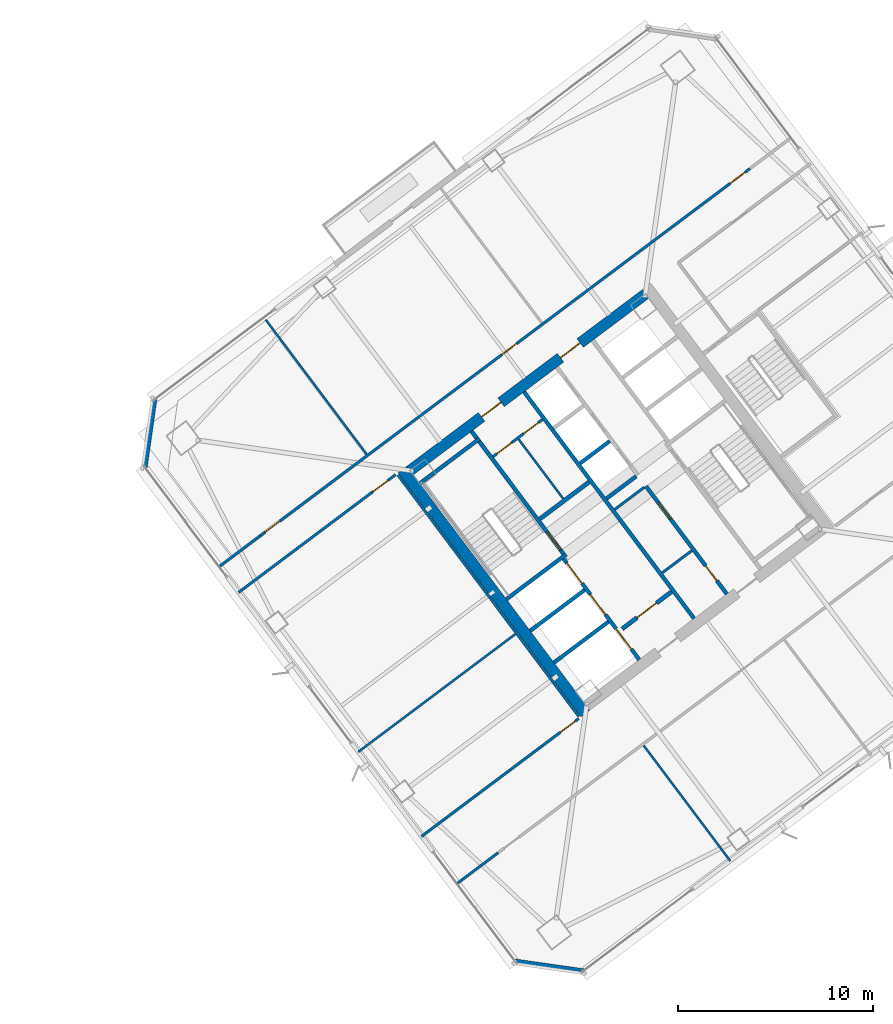
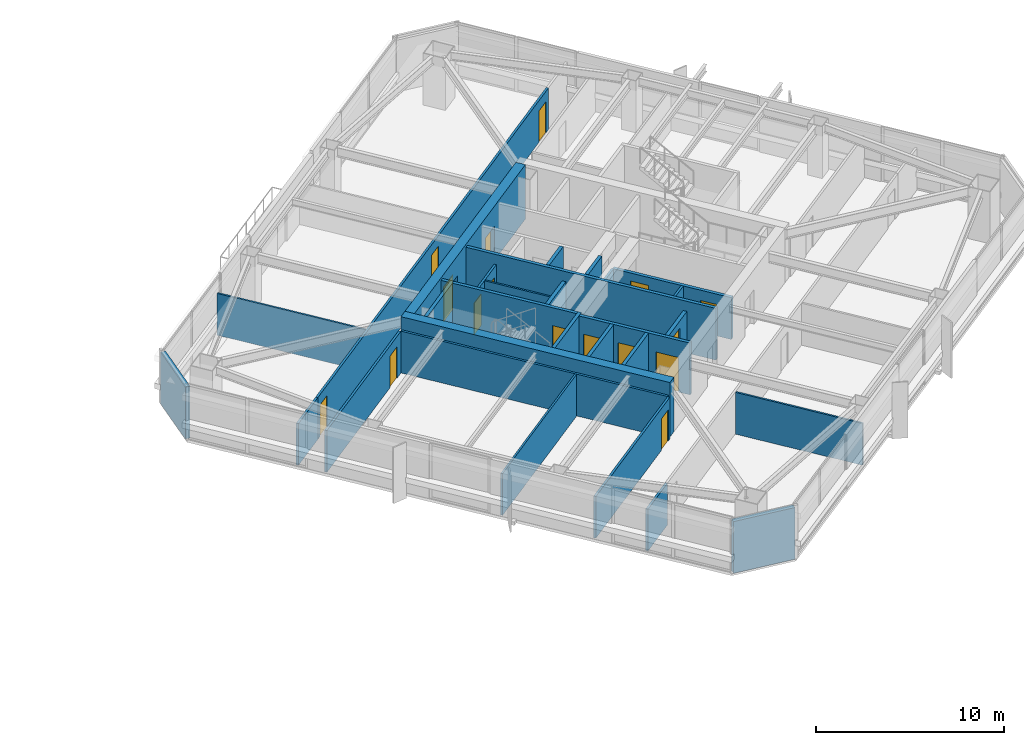
# One storey, part 38 of 48: 29 walls, 16 doors, 16 openings.
"""IFC4 building model written with IfcOpenShell, lengths in metres."""

from ifc_helpers import new_model, si_unit, direction, frame, frame_2d, origin, place, context, subcontext, project, spatial, rectangle, extrude, material, layer, layer_set, type_object, element, fill, save


model = new_model("IFC4")

# Units and contexts
model_context = context("Model", 3, precision=1e-05, world=origin(), true_north=direction((0.0, 1.0)))
body_context = subcontext(model_context, "Body", "Model", "MODEL_VIEW")
ifc_project = project(units=[si_unit("LENGTHUNIT", "METRE"), si_unit("AREAUNIT", "SQUARE_METRE"), si_unit("VOLUMEUNIT", "CUBIC_METRE"), si_unit("PLANEANGLEUNIT", "RADIAN"), si_unit("MASSUNIT", "GRAM", prefix="KILO")], contexts=[model_context])

# Site, building, storey
site_placement = place(None, origin())
site = spatial("IfcSite", under=ifc_project, at=site_placement, CompositionType="ELEMENT")
building_placement = place(site_placement, origin())
building = spatial("IfcBuilding", under=site, at=building_placement, Name="Tashvorn Skyway Center", CompositionType="ELEMENT")
storey_placement = place(building_placement, frame((0.0, 0.0, 125.050048828125)))
storey = spatial("IfcBuildingStorey", under=building, at=storey_placement, Name="L33", CompositionType="ELEMENT", Elevation=125.050048828125)

# Wall
ifc_material_1 = material(Name="Concrete C60/75", Category="concrete")
ifc_layer_1 = layer(ifc_material_1, 0.550048828125)
ifc_layer_set_1 = layer_set([ifc_layer_1], Name="Concrete C60/75")
wall_type_1 = type_object("IfcWallType", Name="WALL-CORE-550", PredefinedType="SHEAR", material=ifc_layer_set_1)
wall_1_placement = place(storey_placement, frame((112.43603515625, 21.076904296875, 0.0), z_axis=(0.0, 0.0, 1.0), x_axis=(-0.600005007985, 0.799996243986, 0.0)))
element("IfcWall", 1, at=wall_1_placement, inside=storey, type_object=wall_type_1, Name="Tower 2 L33 West Core Shear Wall", PredefinedType="SHEAR", context=body_context, shape_type="SweptSolid", body=[
    extrude(rectangle(XDim=15.60009765625, YDim=0.550048828125, at=frame_2d((7.800048828125, 0.0))), origin(), (0.0, 0.0, 1.0), 3.550048828125),
])

# Wall, openings, doors
wall_2_placement = place(storey_placement, frame((103.4609375, 33.501953125, 0.0), z_axis=(0.0, 0.0, 1.0), x_axis=(0.799998054672, 0.600002593761, 0.0)))
wall_2 = element("IfcWall", 2, at=wall_2_placement, inside=storey, type_object=wall_type_1, Name="Tower 2 L33 North Core Shear Wall", PredefinedType="SHEAR", context=body_context, shape_type="SweptSolid", body=[
    extrude(rectangle(XDim=15.06005859375, YDim=0.550048828125, at=frame_2d((7.530029296875, 0.0))), origin(), (0.0, 0.0, 1.0), 3.550048828125),
])
opening_1_placement = place(wall_2_placement, frame((4.580078125, 0.0, 0.0)))
opening_1 = element("IfcOpeningElement", 3, at=opening_1_placement, cuts=wall_2, Name="Opening D-FFL-1250", PredefinedType="OPENING", context=body_context, shape_type="SweptSolid", body=[
    extrude(rectangle(XDim=1.25, YDim=2.25, at=frame_2d((0.625, 1.125))), frame((0.0, 0.284912109375, 0.0), z_axis=(0.0, -1.0, 0.0), x_axis=(1.0, 0.0, 0.0)), (0.0, 0.0, 1.0), 0.570068359375),
])
opening_2_placement = place(wall_2_placement, frame((9.6298828125, 0.0, 0.0)))
opening_2 = element("IfcOpeningElement", 4, at=opening_2_placement, cuts=wall_2, Name="Opening D-FFL-1250", PredefinedType="OPENING", context=body_context, shape_type="SweptSolid", body=[
    extrude(rectangle(XDim=1.25, YDim=2.25, at=frame_2d((0.625, 1.125))), frame((0.0, 0.284912109375, 0.0), z_axis=(0.0, -1.0, 0.0), x_axis=(1.0, 0.0, 0.0)), (0.0, 0.0, 1.0), 0.570068359375),
])
ifc_material_2 = material(Name="Hollow galvanized steel fire door assembly", Category="steel")
door_type_1 = type_object("IfcDoorType", Name="DOOR-FFL-1250", OperationType="NOTDEFINED", PredefinedType="DOOR", material=ifc_material_2)
door_1_placement = place(opening_1_placement, origin())
door_1 = element("IfcDoor", 5, at=door_1_placement, inside=storey, type_object=door_type_1, Name="Tower 2 L33 Core North Service Lobby Door", OperationType="SINGLE_SWING_LEFT", OverallHeight=2.25, OverallWidth=1.25, PredefinedType="DOOR", context=body_context, shape_type="SweptSolid", body=[
    extrude(rectangle(XDim=1.25, YDim=2.25, at=frame_2d((0.625, 1.125))), frame((0.0, 0.02490234375, 0.0), z_axis=(0.0, -1.0, 0.0), x_axis=(1.0, 0.0, 0.0)), (0.0, 0.0, 1.0), 0.050048828125),
])
fill(opening_1, door_1)
door_2_placement = place(opening_2_placement, origin())
door_2 = element("IfcDoor", 6, at=door_2_placement, inside=storey, type_object=door_type_1, Name="Tower 2 L33 Core North Lift Lobby Door", OperationType="SINGLE_SWING_RIGHT", OverallHeight=2.25, OverallWidth=1.25, PredefinedType="DOOR", context=body_context, shape_type="SweptSolid", body=[
    extrude(rectangle(XDim=1.25, YDim=2.25, at=frame_2d((0.625, 1.125))), frame((0.0, 0.02490234375, 0.0), z_axis=(0.0, -1.0, 0.0), x_axis=(1.0, 0.0, 0.0)), (0.0, 0.0, 1.0), 0.050048828125),
])
fill(opening_2, door_2)

# Walls
ifc_material_3 = material(Name="Precast concrete C40/50", Category="concrete")
ifc_layer_2 = layer(ifc_material_3, 0.280029296875)
ifc_layer_set_2 = layer_set([ifc_layer_2], Name="Precast concrete C40/50")
wall_type_2 = type_object("IfcWallType", Name="WALL-EXT-280", PredefinedType="SOLIDWALL", material=ifc_layer_set_2)
for number, where, z_axis, x_axis, name in (
    (7, (112.340087890625, 7.8798828125, 0.0), (0.0, 0.0, 1.0), (-0.989949493661, 0.141421356237, 0.0), "Tower 2 L33 SW Precast Chamfer Wall"),
    (8, (89.8798828125, 33.659912109375, 0.0), (0.0, 0.0, 1.0), (0.141421356237, 0.989949493661, 0.0), "Tower 2 L33 NW Precast Chamfer Wall"),
):
    element("IfcWall", number, at=place(storey_placement, frame(where, z_axis=z_axis, x_axis=x_axis)), inside=storey, type_object=wall_type_2, Name=name, PredefinedType="SOLIDWALL", context=body_context, shape_type="SweptSolid", body=[
        extrude(rectangle(XDim=3.53564453125, YDim=0.280029296875, at=frame_2d((1.767822265625, 0.0))), origin(), (0.0, 0.0, 1.0), 3.369873046875),
    ])
ifc_material_4 = material(Name="Concrete C40/50", Category="concrete")
ifc_layer_3 = layer(ifc_material_4, 0.219970703125)
ifc_layer_set_3 = layer_set([ifc_layer_3], Name="Concrete C40/50")
wall_type_3 = type_object("IfcWallType", Name="WALL-FFL-220", PredefinedType="SOLIDWALL", material=ifc_layer_set_3)
wall_3_placement = place(storey_placement, frame((110.10400390625, 31.028076171875, 0.0), z_axis=(0.0, 0.0, 1.0), x_axis=(0.800018601094, 0.59997519774, 0.0)))
element("IfcWall", 9, at=wall_3_placement, inside=storey, type_object=wall_type_3, Name="Tower 2 L33 Firefighting Lobby North Wall", PredefinedType="SOLIDWALL", context=body_context, shape_type="SweptSolid", body=[
    extrude(rectangle(XDim=3.14990234375, YDim=0.219970703125, at=frame_2d((1.574951171875, 0.0))), origin(), (0.0, 0.0, 1.0), 2.722900390625),
])

# Wall, opening, door
wall_4_placement = place(storey_placement, frame((114.31591796875, 25.412109375, 0.0), z_axis=(0.0, 0.0, 1.0), x_axis=(0.800018601094, 0.59997519774, 0.0)))
wall_4 = element("IfcWall", 10, at=wall_4_placement, inside=storey, type_object=wall_type_3, Name="Tower 2 L33 Firefighting Lobby South Wall", PredefinedType="SOLIDWALL", context=body_context, shape_type="SweptSolid", body=[
    extrude(rectangle(XDim=3.14990234375, YDim=0.219970703125, at=frame_2d((1.574951171875, 0.0))), origin(), (0.0, 0.0, 1.0), 2.722900390625),
])
opening_3_placement = place(wall_4_placement, frame((0.949951171875, 0.0, 0.0)))
opening_3 = element("IfcOpeningElement", 11, at=opening_3_placement, cuts=wall_4, Name="Opening D-FFL-1250", PredefinedType="OPENING", context=body_context, shape_type="SweptSolid", body=[
    extrude(rectangle(XDim=1.25, YDim=2.25, at=frame_2d((0.625, 1.125))), frame((0.0, 0.119873046875, 0.0), z_axis=(0.0, -1.0, 0.0), x_axis=(1.0, 0.0, 0.0)), (0.0, 0.0, 1.0), 0.239990234375),
])
door_3_placement = place(opening_3_placement, origin())
door_3 = element("IfcDoor", 12, at=door_3_placement, inside=storey, type_object=door_type_1, Name="Tower 2 L33 Firefighting Lobby Egress Door", OperationType="SINGLE_SWING_LEFT", OverallHeight=2.25, OverallWidth=1.25, PredefinedType="DOOR", context=body_context, shape_type="SweptSolid", body=[
    extrude(rectangle(XDim=1.25, YDim=2.25, at=frame_2d((0.625, 1.125))), frame((0.0, 0.02490234375, 0.0), z_axis=(0.0, -1.0, 0.0), x_axis=(1.0, 0.0, 0.0)), (0.0, 0.0, 1.0), 0.050048828125),
])
fill(opening_3, door_3)

# Walls
ifc_material_5 = material(Name="Gypsum board on cold-formed steel stud framing", Category="steel")
ifc_layer_4 = layer(ifc_material_5, 0.110107421875)
ifc_layer_set_4 = layer_set([ifc_layer_4], Name="Gypsum board on cold-formed steel stud framing")
wall_type_4 = type_object("IfcWallType", Name="WALL-PART-110", PredefinedType="PARTITIONING", material=ifc_layer_set_4)
wall_5_placement = place(storey_placement, frame((101.241943359375, 34.343994140625, 0.0), z_axis=(0.0, 0.0, 1.0), x_axis=(-0.599986373537, 0.800010219666, 0.0)))
element("IfcWall", 13, at=wall_5_placement, inside=storey, type_object=wall_type_4, Name="Tower 2 L33 North Suite Partition 1", PredefinedType="PARTITIONING", context=body_context, shape_type="SweptSolid", body=[
    extrude(rectangle(XDim=8.60009765625, YDim=0.110107421875, at=frame_2d((4.300048828125, 0.0))), origin(), (0.0, 0.0, 1.0), 2.722900390625),
])
wall_6_placement = place(storey_placement, frame((119.847900390625, 13.535888671875, 0.0), z_axis=(0.0, 0.0, 1.0), x_axis=(-0.599994706986, 0.800003969733, 0.0)))
element("IfcWall", 14, at=wall_6_placement, inside=storey, type_object=wall_type_4, Name="Tower 2 L33 South Suite Partition 1", PredefinedType="PARTITIONING", context=body_context, shape_type="SweptSolid", body=[
    extrude(rectangle(XDim=7.380126953125, YDim=0.110107421875, at=frame_2d((3.68994140625, 0.0))), origin(), (0.0, 0.0, 1.0), 2.722900390625),
])
wall_7_placement = place(storey_placement, frame((100.81591796875, 19.112060546875, 0.0), z_axis=(0.0, 0.0, 1.0), x_axis=(0.800002918023, 0.599996109283, 0.0)))
element("IfcWall", 15, at=wall_7_placement, inside=storey, type_object=wall_type_4, Name="Tower 2 L33 West Mid Partition", PredefinedType="PARTITIONING", context=body_context, shape_type="SweptSolid", body=[
    extrude(rectangle(XDim=10.0400390625, YDim=0.110107421875, at=frame_2d((5.02001953125, 0.0))), origin(), (0.0, 0.0, 1.0), 2.722900390625),
])

# Wall, openings, doors
ifc_layer_5 = layer(ifc_material_5, 0.135009765625)
ifc_layer_set_5 = layer_set([ifc_layer_5], Name="Gypsum board on cold-formed steel stud framing")
wall_type_5 = type_object("IfcWallType", Name="WALL-PART-135", PredefinedType="PARTITIONING", material=ifc_layer_set_5)
wall_8_placement = place(storey_placement, frame((95.81005859375, 30.169921875, 0.0), z_axis=(0.0, 0.0, 1.0), x_axis=(0.8, 0.6, 0.0)))
wall_8 = element("IfcWall", 16, at=wall_8_placement, inside=storey, type_object=wall_type_5, Name="Tower 2 L33 North Suite Wall", PredefinedType="PARTITIONING", context=body_context, shape_type="SweptSolid", body=[
    extrude(rectangle(XDim=31.300048828125, YDim=0.135009765625, at=frame_2d((15.64990234375, 0.0))), origin(), (0.0, 0.0, 1.0), 2.722900390625),
])
opening_4_placement = place(wall_8_placement, frame((0.300048828125, 0.0, 0.0)))
opening_4 = element("IfcOpeningElement", 17, at=opening_4_placement, cuts=wall_8, Name="Opening D-INT-950", PredefinedType="OPENING", context=body_context, shape_type="SweptSolid", body=[
    extrude(rectangle(XDim=0.949951171875, YDim=2.050048828125, at=frame_2d((0.47509765625, 1.02490234375))), frame((0.0, 0.077392578125, 0.0), z_axis=(0.0, -1.0, 0.0), x_axis=(1.0, 0.0, 0.0)), (0.0, 0.0, 1.0), 0.155029296875),
])
opening_5_placement = place(wall_8_placement, frame((15.4375, 0.0, 0.0)))
opening_5 = element("IfcOpeningElement", 18, at=opening_5_placement, cuts=wall_8, Name="Opening D-INT-950", PredefinedType="OPENING", context=body_context, shape_type="SweptSolid", body=[
    extrude(rectangle(XDim=0.949951171875, YDim=2.050048828125, at=frame_2d((0.47509765625, 1.02490234375))), frame((0.0, 0.077392578125, 0.0), z_axis=(0.0, -1.0, 0.0), x_axis=(1.0, 0.0, 0.0)), (0.0, 0.0, 1.0), 0.155029296875),
])
opening_6_placement = place(wall_8_placement, frame((30.050048828125, 0.0, 0.0)))
opening_6 = element("IfcOpeningElement", 19, at=opening_6_placement, cuts=wall_8, Name="Opening D-INT-950", PredefinedType="OPENING", context=body_context, shape_type="SweptSolid", body=[
    extrude(rectangle(XDim=0.949951171875, YDim=2.050048828125, at=frame_2d((0.47509765625, 1.02490234375))), frame((0.0, 0.077392578125, 0.0), z_axis=(0.0, -1.0, 0.0), x_axis=(1.0, 0.0, 0.0)), (0.0, 0.0, 1.0), 0.155029296875),
])
ifc_material_6 = material(Name="Solid-core architectural oak veneer door")
door_type_2 = type_object("IfcDoorType", Name="DOOR-INT-950", OperationType="NOTDEFINED", PredefinedType="DOOR", material=ifc_material_6)
door_4_placement = place(opening_4_placement, origin())
door_4 = element("IfcDoor", 20, at=door_4_placement, inside=storey, type_object=door_type_2, Name="Tower 2 L33 Executive Suite Door", OperationType="SINGLE_SWING_LEFT", OverallHeight=2.050048828125, OverallWidth=0.949951171875, PredefinedType="DOOR", context=body_context, shape_type="SweptSolid", body=[
    extrude(rectangle(XDim=0.949951171875, YDim=2.050048828125, at=frame_2d((0.47509765625, 1.02490234375))), frame((0.0, 0.02490234375, 0.0), z_axis=(0.0, -1.0, 0.0), x_axis=(1.0, 0.0, 0.0)), (0.0, 0.0, 1.0), 0.050048828125),
])
fill(opening_4, door_4)
door_5_placement = place(opening_5_placement, origin())
door_5 = element("IfcDoor", 21, at=door_5_placement, inside=storey, type_object=door_type_2, Name="Tower 2 L33 Executive Suite Door", OperationType="SINGLE_SWING_RIGHT", OverallHeight=2.050048828125, OverallWidth=0.949951171875, PredefinedType="DOOR", context=body_context, shape_type="SweptSolid", body=[
    extrude(rectangle(XDim=0.949951171875, YDim=2.050048828125, at=frame_2d((0.47509765625, 1.02490234375))), frame((0.0, 0.02490234375, 0.0), z_axis=(0.0, -1.0, 0.0), x_axis=(1.0, 0.0, 0.0)), (0.0, 0.0, 1.0), 0.050048828125),
])
fill(opening_5, door_5)
door_6_placement = place(opening_6_placement, origin())
door_6 = element("IfcDoor", 22, at=door_6_placement, inside=storey, type_object=door_type_2, Name="Tower 2 L33 Corporate Office Door", OperationType="SINGLE_SWING_LEFT", OverallHeight=2.050048828125, OverallWidth=0.949951171875, PredefinedType="DOOR", context=body_context, shape_type="SweptSolid", body=[
    extrude(rectangle(XDim=0.949951171875, YDim=2.050048828125, at=frame_2d((0.47509765625, 1.02490234375))), frame((0.0, 0.02490234375, 0.0), z_axis=(0.0, -1.0, 0.0), x_axis=(1.0, 0.0, 0.0)), (0.0, 0.0, 1.0), 0.050048828125),
])
fill(opening_6, door_6)

# Walls
wall_9_placement = place(storey_placement, frame((93.7060546875, 28.592041015625, 0.0), z_axis=(0.0, 0.0, 1.0), x_axis=(0.80002227902, 0.599970293491, 0.0)))
element("IfcWall", 23, at=wall_9_placement, inside=storey, type_object=wall_type_5, Name="Tower 2 L33 North-West Suite South Wall", PredefinedType="PARTITIONING", context=body_context, shape_type="SweptSolid", body=[
    extrude(rectangle(XDim=2.6298828125, YDim=0.135009765625, at=frame_2d((1.31494140625, 0.0))), origin(), (0.0, 0.0, 1.0), 2.722900390625),
])
wall_10_placement = place(storey_placement, frame((105.867919921875, 12.3759765625, 0.0), z_axis=(0.0, 0.0, 1.0), x_axis=(0.799977721118, 0.600029704027, 0.0)))
element("IfcWall", 24, at=wall_10_placement, inside=storey, type_object=wall_type_5, Name="Tower 2 L33 South-West Suite North Wall", PredefinedType="PARTITIONING", context=body_context, shape_type="SweptSolid", body=[
    extrude(rectangle(XDim=2.630126953125, YDim=0.135009765625, at=frame_2d((1.31494140625, 0.0))), origin(), (0.0, 0.0, 1.0), 2.722900390625),
])
wall_11_placement = place(storey_placement, frame((112.10400390625, 20.927978515625, 0.0), z_axis=(0.0, 0.0, 1.0), x_axis=(-0.599994940075, 0.800003794918, 0.0)))
element("IfcWall", 25, at=wall_11_placement, inside=storey, type_object=wall_type_5, Name="Tower 2 L33 West Inner Suite Wall", PredefinedType="PARTITIONING", context=body_context, shape_type="SweptSolid", body=[
    extrude(rectangle(XDim=15.43994140625, YDim=0.135009765625, at=frame_2d((7.719970703125, 0.0))), origin(), (0.0, 0.0, 1.0), 2.722900390625),
])

# Wall, opening, door
wall_12_placement = place(storey_placement, frame((102.72802734375, 33.2958984375, 0.0), z_axis=(0.0, 0.0, 1.0), x_axis=(-0.800002918023, -0.599996109283, 0.0)))
wall_12 = element("IfcWall", 26, at=wall_12_placement, inside=storey, type_object=wall_type_5, Name="Tower 2 L33 West Suite North Wall", PredefinedType="PARTITIONING", context=body_context, shape_type="SweptSolid", body=[
    extrude(rectangle(XDim=10.0400390625, YDim=0.135009765625, at=frame_2d((5.02001953125, 0.0))), origin(), (0.0, 0.0, 1.0), 2.722900390625),
])
opening_7_placement = place(wall_12_placement, frame((0.5, 0.0, 0.0)))
opening_7 = element("IfcOpeningElement", 27, at=opening_7_placement, cuts=wall_12, Name="Opening D-INT-950", PredefinedType="OPENING", context=body_context, shape_type="SweptSolid", body=[
    extrude(rectangle(XDim=0.949951171875, YDim=2.050048828125, at=frame_2d((0.47509765625, 1.02490234375))), frame((0.0, 0.077392578125, 0.0), z_axis=(0.0, -1.0, 0.0), x_axis=(1.0, 0.0, 0.0)), (0.0, 0.0, 1.0), 0.155029296875),
])
door_7_placement = place(opening_7_placement, origin())
door_7 = element("IfcDoor", 28, at=door_7_placement, inside=storey, type_object=door_type_2, Name="Tower 2 L33 Security Control Room Door", OperationType="SINGLE_SWING_LEFT", OverallHeight=2.050048828125, OverallWidth=0.949951171875, PredefinedType="DOOR", context=body_context, shape_type="SweptSolid", body=[
    extrude(rectangle(XDim=0.949951171875, YDim=2.050048828125, at=frame_2d((0.47509765625, 1.02490234375))), frame((0.0, 0.02490234375, 0.0), z_axis=(0.0, -1.0, 0.0), x_axis=(1.0, 0.0, 0.0)), (0.0, 0.0, 1.0), 0.050048828125),
])
fill(opening_7, door_7)

wall_13_placement = place(storey_placement, frame((104.055908203125, 14.7919921875, 0.0), z_axis=(0.0, 0.0, 1.0), x_axis=(0.800002918023, 0.599996109283, 0.0)))
wall_13 = element("IfcWall", 29, at=wall_13_placement, inside=storey, type_object=wall_type_5, Name="Tower 2 L33 West Suite South Wall", PredefinedType="PARTITIONING", context=body_context, shape_type="SweptSolid", body=[
    extrude(rectangle(XDim=10.0400390625, YDim=0.135009765625, at=frame_2d((5.02001953125, 0.0))), origin(), (0.0, 0.0, 1.0), 2.722900390625),
])
opening_8_placement = place(wall_13_placement, frame((8.8798828125, 0.0, 0.0)))
opening_8 = element("IfcOpeningElement", 30, at=opening_8_placement, cuts=wall_13, Name="Opening D-INT-950", PredefinedType="OPENING", context=body_context, shape_type="SweptSolid", body=[
    extrude(rectangle(XDim=0.949951171875, YDim=2.050048828125, at=frame_2d((0.47509765625, 1.02490234375))), frame((0.0, 0.077392578125, 0.0), z_axis=(0.0, -1.0, 0.0), x_axis=(1.0, 0.0, 0.0)), (0.0, 0.0, 1.0), 0.155029296875),
])
door_8_placement = place(opening_8_placement, origin())
door_8 = element("IfcDoor", 31, at=door_8_placement, inside=storey, type_object=door_type_2, Name="Tower 2 L33 Public Restroom Door", OperationType="SINGLE_SWING_RIGHT", OverallHeight=2.050048828125, OverallWidth=0.949951171875, PredefinedType="DOOR", context=body_context, shape_type="SweptSolid", body=[
    extrude(rectangle(XDim=0.949951171875, YDim=2.050048828125, at=frame_2d((0.47509765625, 1.02490234375))), frame((0.0, 0.02490234375, 0.0), z_axis=(0.0, -1.0, 0.0), x_axis=(1.0, 0.0, 0.0)), (0.0, 0.0, 1.0), 0.050048828125),
])
fill(opening_8, door_8)

# Wall
ifc_layer_6 = layer(ifc_material_5, 0.110107421875)
ifc_layer_set_6 = layer_set([ifc_layer_6], Name="Gypsum board on cold-formed steel stud framing")
wall_type_6 = type_object("IfcWallType", Name="WALL-RATED-110", PredefinedType="PARTITIONING", material=ifc_layer_set_6)
wall_14_placement = place(storey_placement, frame((111.2958984375, 32.072021484375, 0.0), z_axis=(0.0, 0.0, 1.0), x_axis=(-0.59995887973, 0.800030838552, 0.0)))
element("IfcWall", 32, at=wall_14_placement, inside=storey, type_object=wall_type_6, Name="Tower 2 L33 Core Split Partition", PredefinedType="PARTITIONING", context=body_context, shape_type="SweptSolid", body=[
    extrude(rectangle(XDim=3.7998046875, YDim=0.110107421875, at=frame_2d((1.89990234375, 0.0))), origin(), (0.0, 0.0, 1.0), 2.722900390625),
])

# Wall, openings, doors
ifc_layer_7 = layer(ifc_material_5, 0.135009765625)
ifc_layer_set_7 = layer_set([ifc_layer_7], Name="Gypsum board on cold-formed steel stud framing")
wall_type_7 = type_object("IfcWallType", Name="WALL-RATED-135", PredefinedType="PARTITIONING", material=ifc_layer_set_7)
wall_15_placement = place(storey_placement, frame((107.7099609375, 34.219970703125, 0.0), z_axis=(0.0, 0.0, 1.0), x_axis=(0.799981399002, 0.60002480053, 0.0)))
wall_15 = element("IfcWall", 33, at=wall_15_placement, inside=storey, type_object=wall_type_7, Name="Tower 2 L33 Core Service Lobby Wall", PredefinedType="PARTITIONING", context=body_context, shape_type="SweptSolid", body=[
    extrude(rectangle(XDim=3.150146484375, YDim=0.135009765625, at=frame_2d((1.5751953125, 0.0))), origin(), (0.0, 0.0, 1.0), 2.722900390625),
])
opening_9_placement = place(wall_15_placement, frame((0.25, 0.0, 0.0)))
opening_9 = element("IfcOpeningElement", 34, at=opening_9_placement, cuts=wall_15, Name="Opening D-RT-950", PredefinedType="OPENING", context=body_context, shape_type="SweptSolid", body=[
    extrude(rectangle(XDim=0.949951171875, YDim=2.050048828125, at=frame_2d((0.47509765625, 1.02490234375))), frame((0.0, 0.077392578125, 0.0), z_axis=(0.0, -1.0, 0.0), x_axis=(1.0, 0.0, 0.0)), (0.0, 0.0, 1.0), 0.155029296875),
])
opening_10_placement = place(wall_15_placement, frame((1.949951171875, 0.0, 0.0)))
opening_10 = element("IfcOpeningElement", 35, at=opening_10_placement, cuts=wall_15, Name="Opening D-RT-950", PredefinedType="OPENING", context=body_context, shape_type="SweptSolid", body=[
    extrude(rectangle(XDim=0.949951171875, YDim=2.050048828125, at=frame_2d((0.47509765625, 1.02490234375))), frame((0.0, 0.077392578125, 0.0), z_axis=(0.0, -1.0, 0.0), x_axis=(1.0, 0.0, 0.0)), (0.0, 0.0, 1.0), 0.155029296875),
])
door_type_3 = type_object("IfcDoorType", Name="DOOR-RATED-950", OperationType="NOTDEFINED", PredefinedType="DOOR", material=ifc_material_2)
door_9_placement = place(opening_9_placement, origin())
door_9 = element("IfcDoor", 36, at=door_9_placement, inside=storey, type_object=door_type_3, Name="Tower 2 L33 Core Accessible WC Door", OperationType="SINGLE_SWING_LEFT", OverallHeight=2.050048828125, OverallWidth=0.949951171875, PredefinedType="DOOR", context=body_context, shape_type="SweptSolid", body=[
    extrude(rectangle(XDim=0.949951171875, YDim=2.050048828125, at=frame_2d((0.47509765625, 1.02490234375))), frame((0.0, 0.02490234375, 0.0), z_axis=(0.0, -1.0, 0.0), x_axis=(1.0, 0.0, 0.0)), (0.0, 0.0, 1.0), 0.050048828125),
])
fill(opening_9, door_9)
door_10_placement = place(opening_10_placement, origin())
door_10 = element("IfcDoor", 37, at=door_10_placement, inside=storey, type_object=door_type_3, Name="Tower 2 L33 Core Cleaner Store Door", OperationType="SINGLE_SWING_RIGHT", OverallHeight=2.050048828125, OverallWidth=0.949951171875, PredefinedType="DOOR", context=body_context, shape_type="SweptSolid", body=[
    extrude(rectangle(XDim=0.949951171875, YDim=2.050048828125, at=frame_2d((0.47509765625, 1.02490234375))), frame((0.0, 0.02490234375, 0.0), z_axis=(0.0, -1.0, 0.0), x_axis=(1.0, 0.0, 0.0)), (0.0, 0.0, 1.0), 0.050048828125),
])
fill(opening_10, door_10)

# Walls
for number, where, z_axis, x_axis, name in (
    (38, (113.946044921875, 31.52197265625, 0.0), (0.0, 0.0, 1.0), (0.8, 0.6, 0.0), "Tower 2 L33 Core Room Partition"),
    (39, (116.3759765625, 28.281982421875, 0.0), (0.0, 0.0, 1.0), (0.8, 0.6, 0.0), "Tower 2 L33 Freed Core Partition"),
):
    element("IfcWall", number, at=place(storey_placement, frame(where, z_axis=z_axis, x_axis=x_axis)), inside=storey, type_object=wall_type_7, Name=name, PredefinedType="PARTITIONING", context=body_context, shape_type="SweptSolid", body=[
        extrude(rectangle(XDim=1.8798828125, YDim=0.135009765625, at=frame_2d((0.93994140625, 0.0))), origin(), (0.0, 0.0, 1.0), 2.722900390625),
    ])
ifc_layer_8 = layer(ifc_material_4, 0.199951171875)
ifc_layer_set_8 = layer_set([ifc_layer_8], Name="Concrete C40/50")
wall_type_8 = type_object("IfcWallType", Name="WALL-SHAFT-200", PredefinedType="SOLIDWALL", material=ifc_layer_set_8)
for number, where, z_axis, x_axis, name in (
    (40, (110.825927734375, 23.681884765625, 0.0), (0.0, 0.0, 1.0), (0.8, 0.6, 0.0), "Tower 2 L33 FSAE Shaft Divider"),
    (41, (109.60791015625, 25.305908203125, 0.0), (0.0, 0.0, 1.0), (0.8, 0.6, 0.0), "Tower 2 L33 FSAE Shaft Divider"),
):
    element("IfcWall", number, at=place(storey_placement, frame(where, z_axis=z_axis, x_axis=x_axis)), inside=storey, type_object=wall_type_8, Name=name, PredefinedType="SOLIDWALL", context=body_context, shape_type="SweptSolid", body=[
        extrude(rectangle(XDim=3.480224609375, YDim=0.199951171875, at=frame_2d((1.740234375, 0.0))), origin(), (0.0, 0.0, 1.0), 3.369873046875),
    ])

# Wall, openings, doors
wall_16_placement = place(storey_placement, frame((119.669921875, 27.18994140625, 0.0), z_axis=(0.0, 0.0, 1.0), x_axis=(-0.599988677396, 0.800008491828, 0.0)))
wall_16 = element("IfcWall", 42, at=wall_16_placement, inside=storey, type_object=wall_type_8, Name="Tower 2 L33 Low-Rise Core Wall", PredefinedType="SOLIDWALL", context=body_context, shape_type="SweptSolid", body=[
    extrude(rectangle(XDim=6.89990234375, YDim=0.199951171875, at=frame_2d((3.449951171875, 0.0))), origin(), (0.0, 0.0, 1.0), 2.722900390625),
])
opening_11_placement = place(wall_16_placement, frame((0.85009765625, 0.0, 0.0)))
opening_11 = element("IfcOpeningElement", 43, at=opening_11_placement, cuts=wall_16, Name="Opening D-RT-950", PredefinedType="OPENING", context=body_context, shape_type="SweptSolid", body=[
    extrude(rectangle(XDim=0.949951171875, YDim=2.050048828125, at=frame_2d((0.47509765625, 1.02490234375))), frame((0.0, 0.10986328125, 0.0), z_axis=(0.0, -1.0, 0.0), x_axis=(1.0, 0.0, 0.0)), (0.0, 0.0, 1.0), 0.219970703125),
])
opening_12_placement = place(wall_16_placement, frame((4.800048828125, 0.0, 0.0)))
opening_12 = element("IfcOpeningElement", 44, at=opening_12_placement, cuts=wall_16, Name="Opening D-RT-1050", PredefinedType="OPENING", context=body_context, shape_type="SweptSolid", body=[
    extrude(rectangle(XDim=1.050048828125, YDim=2.199951171875, at=frame_2d((0.52490234375, 1.10009765625))), frame((0.0, 0.10986328125, 0.0), z_axis=(0.0, -1.0, 0.0), x_axis=(1.0, 0.0, 0.0)), (0.0, 0.0, 1.0), 0.219970703125),
])
door_type_4 = type_object("IfcDoorType", Name="DOOR-RATED-1050", OperationType="NOTDEFINED", PredefinedType="DOOR", material=ifc_material_2)
door_11_placement = place(opening_12_placement, origin())
door_11 = element("IfcDoor", 45, at=door_11_placement, inside=storey, type_object=door_type_4, Name="Tower 2 L33 Freed Core Room Door", OperationType="SINGLE_SWING_RIGHT", OverallHeight=2.199951171875, OverallWidth=1.050048828125, PredefinedType="DOOR", context=body_context, shape_type="SweptSolid", body=[
    extrude(rectangle(XDim=1.050048828125, YDim=2.199951171875, at=frame_2d((0.52490234375, 1.10009765625))), frame((0.0, 0.02490234375, 0.0), z_axis=(0.0, -1.0, 0.0), x_axis=(1.0, 0.0, 0.0)), (0.0, 0.0, 1.0), 0.050048828125),
])
fill(opening_12, door_11)
door_12_placement = place(opening_11_placement, origin())
door_12 = element("IfcDoor", 46, at=door_12_placement, inside=storey, type_object=door_type_3, Name="Tower 2 L33 Core Print Room Door", OperationType="SINGLE_SWING_LEFT", OverallHeight=2.050048828125, OverallWidth=0.949951171875, PredefinedType="DOOR", context=body_context, shape_type="SweptSolid", body=[
    extrude(rectangle(XDim=0.949951171875, YDim=2.050048828125, at=frame_2d((0.47509765625, 1.02490234375))), frame((0.0, 0.02490234375, 0.0), z_axis=(0.0, -1.0, 0.0), x_axis=(1.0, 0.0, 0.0)), (0.0, 0.0, 1.0), 0.050048828125),
])
fill(opening_11, door_12)

# Walls
wall_17_placement = place(storey_placement, frame((113.52587890625, 32.08203125, 0.0), z_axis=(0.0, 0.0, 1.0), x_axis=(0.800046745961, 0.599937666993, 0.0)))
element("IfcWall", 47, at=wall_17_placement, inside=storey, type_object=wall_type_8, Name="Tower 2 L33 Mid-Rise Shaft Divider", PredefinedType="SOLIDWALL", context=body_context, shape_type="SweptSolid", body=[
    extrude(rectangle(XDim=1.880126953125, YDim=0.199951171875, at=frame_2d((0.93994140625, 0.0))), origin(), (0.0, 0.0, 1.0), 3.369873046875),
])
wall_18_placement = place(storey_placement, frame((112.176025390625, 33.882080078125, 0.0), z_axis=(0.0, 0.0, 1.0), x_axis=(0.8, 0.6, 0.0)))
element("IfcWall", 48, at=wall_18_placement, inside=storey, type_object=wall_type_8, Name="Tower 2 L33 Mid-Rise Shaft Divider", PredefinedType="SOLIDWALL", context=body_context, shape_type="SweptSolid", body=[
    extrude(rectangle(XDim=1.8798828125, YDim=0.199951171875, at=frame_2d((0.93994140625, 0.0))), origin(), (0.0, 0.0, 1.0), 3.369873046875),
])

# Wall, opening, door
ifc_layer_9 = layer(ifc_material_4, 0.199951171875)
ifc_layer_set_9 = layer_set([ifc_layer_9], Name="Concrete C40/50")
wall_type_9 = type_object("IfcWallType", Name="WALL-STSHF-200", PredefinedType="SHEAR", material=ifc_layer_set_9)
wall_19_placement = place(storey_placement, frame((111.43994140625, 29.080078125, 0.0), z_axis=(0.0, 0.0, 1.0), x_axis=(-0.59999029481, 0.8000072788, 0.0)))
wall_19 = element("IfcWall", 49, at=wall_19_placement, inside=storey, type_object=wall_type_9, Name="Tower 2 L33 Stair 1 Enclosure Wall", PredefinedType="SHEAR", context=body_context, shape_type="SweptSolid", body=[
    extrude(rectangle(XDim=8.0498046875, YDim=0.199951171875, at=frame_2d((4.02490234375, 0.0))), origin(), (0.0, 0.0, 1.0), 3.369873046875),
])
opening_13_placement = place(wall_19_placement, frame((0.449951171875, 0.0, 0.0)))
opening_13 = element("IfcOpeningElement", 50, at=opening_13_placement, cuts=wall_19, Name="Opening D-ST-1150", PredefinedType="OPENING", context=body_context, shape_type="SweptSolid", body=[
    extrude(rectangle(XDim=1.14990234375, YDim=2.199951171875, at=frame_2d((0.574951171875, 1.10009765625))), frame((0.0, 0.10986328125, 0.0), z_axis=(0.0, -1.0, 0.0), x_axis=(1.0, 0.0, 0.0)), (0.0, 0.0, 1.0), 0.219970703125),
])
door_type_5 = type_object("IfcDoorType", Name="DOOR-STAIR-1150", OperationType="NOTDEFINED", PredefinedType="DOOR", material=ifc_material_2)
door_13_placement = place(opening_13_placement, origin())
door_13 = element("IfcDoor", 51, at=door_13_placement, inside=storey, type_object=door_type_5, Name="Tower 2 L33 Exit Stair 1 Door", OperationType="SINGLE_SWING_RIGHT", OverallHeight=2.199951171875, OverallWidth=1.14990234375, PredefinedType="DOOR", context=body_context, shape_type="SweptSolid", body=[
    extrude(rectangle(XDim=1.14990234375, YDim=2.199951171875, at=frame_2d((0.574951171875, 1.10009765625))), frame((0.0, 0.02490234375, 0.0), z_axis=(0.0, -1.0, 0.0), x_axis=(1.0, 0.0, 0.0)), (0.0, 0.0, 1.0), 0.050048828125),
])
fill(opening_13, door_13)

# Walls
for number, where, z_axis, x_axis, name in (
    (52, (108.39599609375, 26.922119140625, 0.0), (0.0, 0.0, 1.0), (0.800015298837, 0.599979601008, 0.0), "Tower 2 L33 Stair 1 South Wall"),
    (53, (103.9560546875, 32.842041015625, 0.0), (0.0, 0.0, 1.0), (0.800015298837, 0.599979601008, 0.0), "Tower 2 L33 Stair 1 North Wall"),
):
    element("IfcWall", number, at=place(storey_placement, frame(where, z_axis=z_axis, x_axis=x_axis)), inside=storey, type_object=wall_type_9, Name=name, PredefinedType="SHEAR", context=body_context, shape_type="SweptSolid", body=[
        extrude(rectangle(XDim=3.829833984375, YDim=0.199951171875, at=frame_2d((1.9150390625, 0.0))), origin(), (0.0, 0.0, 1.0), 3.369873046875),
    ])
wall_20_placement = place(storey_placement, frame((117.998046875, 25.93603515625, 0.0), z_axis=(0.0, 0.0, 1.0), x_axis=(-0.600002693989, 0.799997979501, 0.0)))
element("IfcWall", 54, at=wall_20_placement, inside=storey, type_object=wall_type_9, Name="Tower 2 L33 Firefighting Lobby East Smoke Barrier", PredefinedType="SHEAR", context=body_context, shape_type="SweptSolid", body=[
    extrude(rectangle(XDim=14.499755859375, YDim=0.199951171875, at=frame_2d((7.25, 0.0))), origin(), (0.0, 0.0, 1.0), 3.369873046875),
])

# Wall, openings, doors
wall_21_placement = place(storey_placement, frame((115.18994140625, 23.830078125, 0.0), z_axis=(0.0, 0.0, 1.0), x_axis=(-0.599993943644, 0.800004542231, 0.0)))
wall_21 = element("IfcWall", 55, at=wall_21_placement, inside=storey, type_object=wall_type_9, Name="Tower 2 L33 FSAE and Goods Shaft Front Wall", PredefinedType="SHEAR", context=body_context, shape_type="SweptSolid", body=[
    extrude(rectangle(XDim=6.449951171875, YDim=0.199951171875, at=frame_2d((3.22509765625, 0.0))), origin(), (0.0, 0.0, 1.0), 3.369873046875),
])
opening_14_placement = place(wall_21_placement, frame((4.875, 0.0, 0.0)))
opening_14 = element("IfcOpeningElement", 56, at=opening_14_placement, cuts=wall_21, Name="Opening LD-FF-T2-1-L33", PredefinedType="OPENING", context=body_context, shape_type="SweptSolid", body=[
    extrude(rectangle(XDim=1.300048828125, YDim=2.25, at=frame_2d((0.64990234375, 1.125))), frame((0.0, 0.10986328125, 0.0), z_axis=(0.0, -1.0, 0.0), x_axis=(1.0, 0.0, 0.0)), (0.0, 0.0, 1.0), 0.219970703125),
])
opening_15_placement = place(wall_21_placement, frame((2.875, 0.0, 0.0)))
opening_15 = element("IfcOpeningElement", 57, at=opening_15_placement, cuts=wall_21, Name="Opening LD-FF-T2-2-L33", PredefinedType="OPENING", context=body_context, shape_type="SweptSolid", body=[
    extrude(rectangle(XDim=1.300048828125, YDim=2.25, at=frame_2d((0.64990234375, 1.125))), frame((0.0, 0.10986328125, 0.0), z_axis=(0.0, -1.0, 0.0), x_axis=(1.0, 0.0, 0.0)), (0.0, 0.0, 1.0), 0.219970703125),
])
opening_16_placement = place(wall_21_placement, frame((0.675048828125, 0.0, 0.0)))
opening_16 = element("IfcOpeningElement", 58, at=opening_16_placement, cuts=wall_21, Name="Opening LD-GD-T2-1-L33", PredefinedType="OPENING", context=body_context, shape_type="SweptSolid", body=[
    extrude(rectangle(XDim=1.300048828125, YDim=2.25, at=frame_2d((0.64990234375, 1.125))), frame((0.0, 0.10986328125, 0.0), z_axis=(0.0, -1.0, 0.0), x_axis=(1.0, 0.0, 0.0)), (0.0, 0.0, 1.0), 0.219970703125),
])
ifc_material_7 = material(Name="Stainless steel heavy-duty landing door", Category="steel")
door_type_6 = type_object("IfcDoorType", Name="DOOR-LIFT-1300", OperationType="SLIDING_TO_LEFT", PredefinedType="DOOR", material=ifc_material_7)
door_14_placement = place(opening_14_placement, origin())
door_14 = element("IfcDoor", 59, at=door_14_placement, inside=storey, type_object=door_type_6, Name="Lift FF-T2-1 L33 Landing Door", OperationType="SLIDING_TO_LEFT", OverallHeight=2.25, OverallWidth=1.300048828125, PredefinedType="DOOR", context=body_context, shape_type="SweptSolid", body=[
    extrude(rectangle(XDim=1.300048828125, YDim=2.25, at=frame_2d((0.64990234375, 1.125))), frame((0.0, 0.02490234375, 0.0), z_axis=(0.0, -1.0, 0.0), x_axis=(1.0, 0.0, 0.0)), (0.0, 0.0, 1.0), 0.050048828125),
])
fill(opening_14, door_14)
door_15_placement = place(opening_15_placement, origin())
door_15 = element("IfcDoor", 60, at=door_15_placement, inside=storey, type_object=door_type_6, Name="Lift FF-T2-2 L33 Landing Door", OperationType="SLIDING_TO_LEFT", OverallHeight=2.25, OverallWidth=1.300048828125, PredefinedType="DOOR", context=body_context, shape_type="SweptSolid", body=[
    extrude(rectangle(XDim=1.300048828125, YDim=2.25, at=frame_2d((0.64990234375, 1.125))), frame((0.0, 0.02490234375, 0.0), z_axis=(0.0, -1.0, 0.0), x_axis=(1.0, 0.0, 0.0)), (0.0, 0.0, 1.0), 0.050048828125),
])
fill(opening_15, door_15)
door_16_placement = place(opening_16_placement, origin())
door_16 = element("IfcDoor", 61, at=door_16_placement, inside=storey, type_object=door_type_6, Name="Lift GD-T2-1 L33 Landing Door", OperationType="SLIDING_TO_LEFT", OverallHeight=2.25, OverallWidth=1.300048828125, PredefinedType="DOOR", context=body_context, shape_type="SweptSolid", body=[
    extrude(rectangle(XDim=1.300048828125, YDim=2.25, at=frame_2d((0.64990234375, 1.125))), frame((0.0, 0.02490234375, 0.0), z_axis=(0.0, -1.0, 0.0), x_axis=(1.0, 0.0, 0.0)), (0.0, 0.0, 1.0), 0.050048828125),
])
fill(opening_16, door_16)

save(model, "model.ifc")
